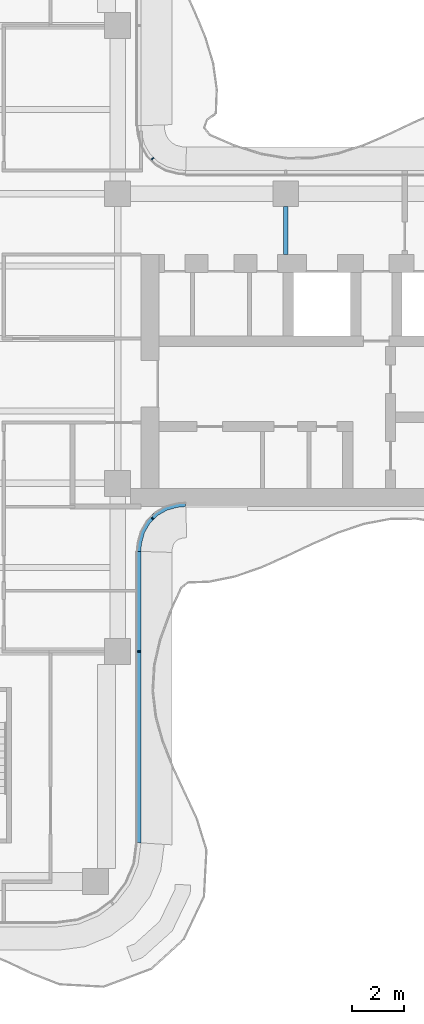
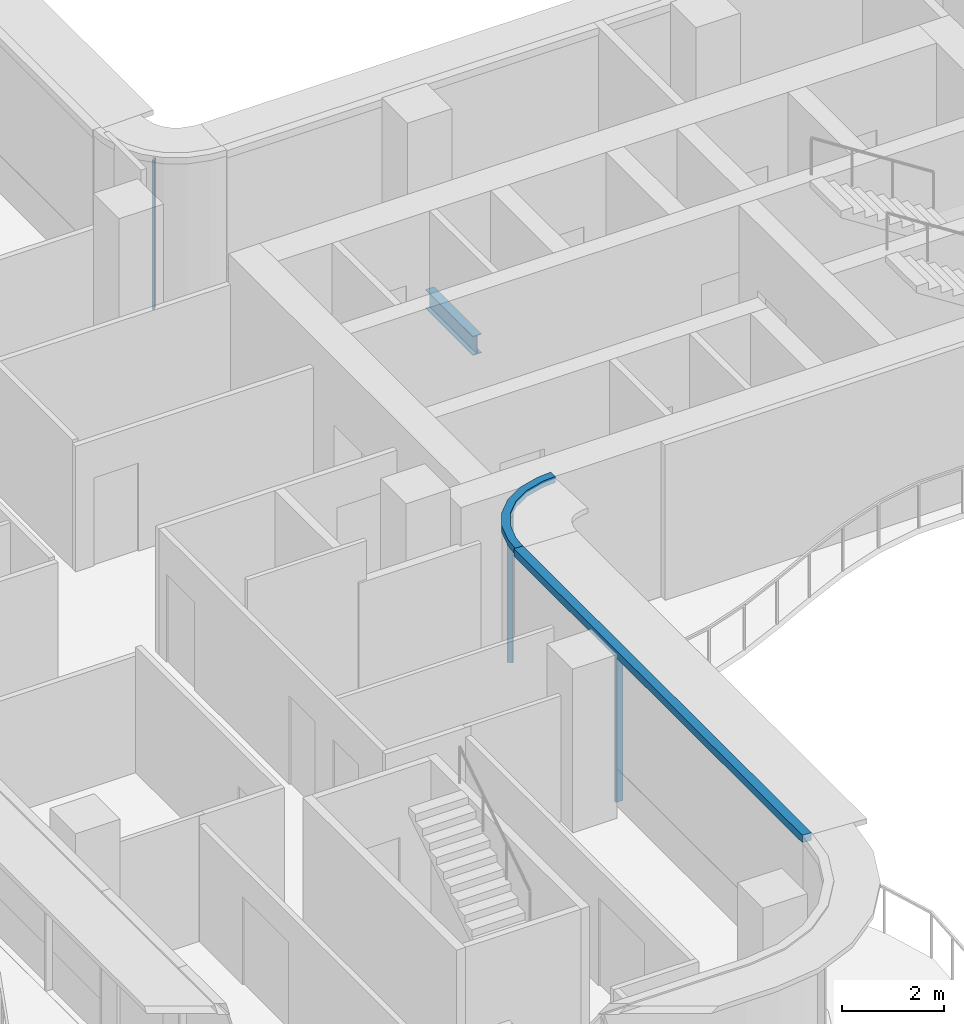
# One storey, part 5 of 16: 5 members, 1 beam, 3 elements without a shape of their own.
"""IFC4 building model written with IfcOpenShell, lengths in metres."""

from ifc_helpers import new_model, si_unit, direction, frame, origin, origin_2d, place, context, subcontext, project, spatial, polyline, rectangle, i_section, outline, extrude, source, transform, mapped, material, layer, layer_set, material_profile, profile_set, type_object, element, aggregate, save


model = new_model("IFC4")

# Units and contexts
model_context = context("Model", 3, precision=1e-05, world=origin(), true_north=direction((0.0, 1.0)))
body_context = subcontext(model_context, "Body", "Model", "MODEL_VIEW")
ifc_project = project(units=[si_unit("LENGTHUNIT", "METRE"), si_unit("AREAUNIT", "SQUARE_METRE"), si_unit("VOLUMEUNIT", "CUBIC_METRE"), si_unit("PLANEANGLEUNIT", "RADIAN"), si_unit("MASSUNIT", "GRAM", prefix="KILO")], contexts=[model_context])

# Site, building, storey
site_placement = place(None, origin())
site = spatial("IfcSite", under=ifc_project, at=site_placement, CompositionType="ELEMENT")
building_placement = place(site_placement, origin())
building = spatial("IfcBuilding", under=site, at=building_placement, Name="Trellis Farm Tower", CompositionType="ELEMENT")
storey_placement = place(building_placement, frame((0.0, 0.0, 298.89990234375)))
storey = spatial("IfcBuildingStorey", under=building, at=storey_placement, Name="L67", CompositionType="ELEMENT", Elevation=298.89990234375)

# Curtain wall, member
ifc_material_1 = material(Name="Aluminium and glass curtain wall", Category="aluminium")
ifc_layer_1 = layer(ifc_material_1, 0.18994140625)
ifc_layer_set_1 = layer_set([ifc_layer_1], Name="RIBBON CURTAIN WALL CW1")
curtain_wall_type_1 = type_object("IfcCurtainWallType", Name="RIBBON CURTAIN WALL CW1", PredefinedType="NOTDEFINED", material=ifc_layer_set_1)
placement = place(storey_placement, origin())
curtain_wall_1 = element("IfcCurtainWall", 1, at=placement, inside=storey, type_object=curtain_wall_type_1, Name="CW1 005", PredefinedType="NOTDEFINED")
ifc_material_2 = material(Name="Aluminium extrusion 6063-T6", Category="aluminium")
ifc_layer_2 = layer(ifc_material_2, 0.199951171875)
ifc_layer_set_2 = layer_set([ifc_layer_2], Name="Aluminium extrusion 6063-T6")
member_type_1 = type_object("IfcMemberType", Name="CW1 TRANSOM 200x180", PredefinedType="USERDEFINED", material=ifc_layer_set_2)
member_1_placement = place(storey_placement, frame((0.0, 0.0, 3.52001953125)))
member_1 = element("IfcMember", 2, at=member_1_placement, type_object=member_type_1, Name="TR1 005", ObjectType="TRANSOM", PredefinedType="USERDEFINED", context=body_context, shape_type="SweptSolid", body=[
    extrude(outline(polyline([(6.5, -19.5), (6.5, -8.2314453125), (6.300048828125, -8.224853515625), (6.300048828125, -19.48681640625), (6.5, -19.5)])), origin(), (0.0, 0.0, 1.0), 0.18017578125),
])

# Beam
ifc_material_3 = material(Name="Steel S355", Category="steel")
ifc_material_profile_1 = material_profile(ifc_material_3, i_section(OverallWidth=0.1904296875, OverallDepth=0.45703125, WebThickness=0.009033203125, FlangeThickness=0.014404296875, FilletRadius=0.01025390625, at=origin_2d()), Name="UB 457x191x74")
ifc_profile_set_1 = profile_set([ifc_material_profile_1], Name="Steel S355")
beam_type = type_object("IfcBeamType", Name="UB 457x191x74", PredefinedType="BEAM", material=ifc_profile_set_1)
shared_shape_1 = source(origin(), body_context, "Body", "SweptSolid", [
    extrude(i_section(OverallWidth=0.1904296875, OverallDepth=0.45703125, WebThickness=0.009033203125, FlangeThickness=0.014404296875, FilletRadius=0.01025390625, at=origin_2d()), origin(), (0.0, 0.0, 1.0), 1.85009765625),
])
beam_placement = place(storey_placement, frame((12.10009765625, 3.25, -0.428466796875), z_axis=(0.0, 1.0, 0.0), x_axis=(-1.0, 0.0, 0.0)))
element("IfcBeam", 3, at=beam_placement, inside=storey, type_object=beam_type, Name="Girder", PredefinedType="BEAM", context=body_context, shape_type="MappedRepresentation", body=[
    mapped(shared_shape_1, transform((0.0, 0.0, 0.0))),
])

# Member
ifc_material_profile_2 = material_profile(ifc_material_2, rectangle(XDim=0.06005859375, YDim=0.14990234375, at=origin_2d()), Name="MULLION 60x150")
ifc_profile_set_2 = profile_set([ifc_material_profile_2], Name="Aluminium extrusion 6063-T6")
member_type_2 = type_object("IfcMemberType", Name="CW1 MULLION 60x150", PredefinedType="MULLION", material=ifc_profile_set_2)
shared_shape_2 = source(origin(), body_context, "Body", "SweptSolid", [
    extrude(rectangle(XDim=0.06005859375, YDim=0.14990234375, at=origin_2d()), origin(), (0.0, 0.0, 1.0), 3.52001953125),
])
member_2_placement = place(storey_placement, frame((6.425048828125, -12.10009765625, 0.0), z_axis=(0.0, 0.0, 1.0), x_axis=(0.0, 1.0, 0.0)))
member_2 = element("IfcMember", 4, at=member_2_placement, type_object=member_type_2, Name="MU1 005-01", PredefinedType="MULLION", context=body_context, shape_type="MappedRepresentation", body=[
    mapped(shared_shape_2, transform((0.0, 0.0, 0.0))),
])

aggregate(curtain_wall_1, [member_2, member_1])

# Curtain wall, member
ifc_layer_3 = layer(ifc_material_1, 0.166015625)
ifc_layer_set_3 = layer_set([ifc_layer_3], Name="WINTER GARDEN CURTAIN WALL CW3")
curtain_wall_type_2 = type_object("IfcCurtainWallType", Name="WINTER GARDEN CURTAIN WALL CW3", PredefinedType="NOTDEFINED", material=ifc_layer_set_3)
curtain_wall_2 = element("IfcCurtainWall", 5, at=placement, inside=storey, type_object=curtain_wall_type_2, Name="CW3 002", PredefinedType="NOTDEFINED")
ifc_material_profile_3 = material_profile(ifc_material_2, rectangle(XDim=0.050048828125, YDim=0.1201171875, at=origin_2d()), Name="MULLION 50x120")
ifc_profile_set_3 = profile_set([ifc_material_profile_3], Name="Aluminium extrusion 6063-T6")
member_type_3 = type_object("IfcMemberType", Name="CW3 MULLION 50x120", PredefinedType="MULLION", material=ifc_profile_set_3)
shared_shape_3 = source(origin(), body_context, "Body", "SweptSolid", [
    extrude(rectangle(XDim=0.050048828125, YDim=0.1201171875, at=origin_2d()), origin(), (0.0, 0.0, 1.0), 3.550048828125),
])
member_3_placement = place(storey_placement, frame((6.953125, -6.953125, 0.0), z_axis=(0.0, 0.0, 1.0), x_axis=(0.707106781187, 0.707106781187, 0.0)))
member_3 = element("IfcMember", 6, at=member_3_placement, type_object=member_type_3, Name="MU3 002-01", PredefinedType="MULLION", context=body_context, shape_type="MappedRepresentation", body=[
    mapped(shared_shape_3, transform((0.0, 0.0, 0.0))),
])

curtain_wall_3 = element("IfcCurtainWall", 7, at=placement, inside=storey, type_object=curtain_wall_type_2, Name="CW3 003", PredefinedType="NOTDEFINED")
member_4_placement = place(storey_placement, frame((6.953125, 6.953125, 0.0), z_axis=(0.0, 0.0, 1.0), x_axis=(-0.707106781187, 0.707106781187, 0.0)))
member_4 = element("IfcMember", 8, at=member_4_placement, type_object=member_type_3, Name="MU3 003-01", PredefinedType="MULLION", context=body_context, shape_type="MappedRepresentation", body=[
    mapped(shared_shape_3, transform((0.0, 0.0, 0.0))),
])
aggregate(curtain_wall_3, [member_4])

# Member
ifc_layer_4 = layer(ifc_material_2, 0.169921875)
ifc_layer_set_4 = layer_set([ifc_layer_4], Name="Aluminium extrusion 6063-T6")
member_type_4 = type_object("IfcMemberType", Name="CW3 TRANSOM 170x150", PredefinedType="USERDEFINED", material=ifc_layer_set_4)
shared_shape_4 = source(origin(), body_context, "Body", "SweptSolid", [
    extrude(outline(polyline([(6.5, -8.2314453125), (6.513916015625, -8.01953125), (6.527587890625, -7.91552734375), (6.63671875, -7.508544921875), (6.846923828125, -7.144287109375), (7.144287109375, -6.846923828125), (7.508544921875, -6.63671875), (7.91552734375, -6.527587890625), (8.01953125, -6.513916015625), (8.2314453125, -6.5), (8.225830078125, -6.330078125), (8.0029296875, -6.3447265625), (7.88232421875, -6.360595703125), (7.44287109375, -6.478271484375), (7.0400390625, -6.7109375), (6.7109375, -7.0400390625), (6.478271484375, -7.44287109375), (6.360595703125, -7.88232421875), (6.3447265625, -8.0029296875), (6.330078125, -8.225830078125), (6.5, -8.2314453125)])), origin(), (0.0, 0.0, 1.0), 0.150146484375),
])
member_5_placement = place(storey_placement, frame((0.0, 0.0, 3.550048828125)))
member_5 = element("IfcMember", 9, at=member_5_placement, type_object=member_type_4, Name="TR3 002", ObjectType="TRANSOM", PredefinedType="USERDEFINED", context=body_context, shape_type="MappedRepresentation", body=[
    mapped(shared_shape_4, transform((0.0, 0.0, 0.0))),
])

aggregate(curtain_wall_2, [member_3, member_5])

save(model, "model.ifc")
